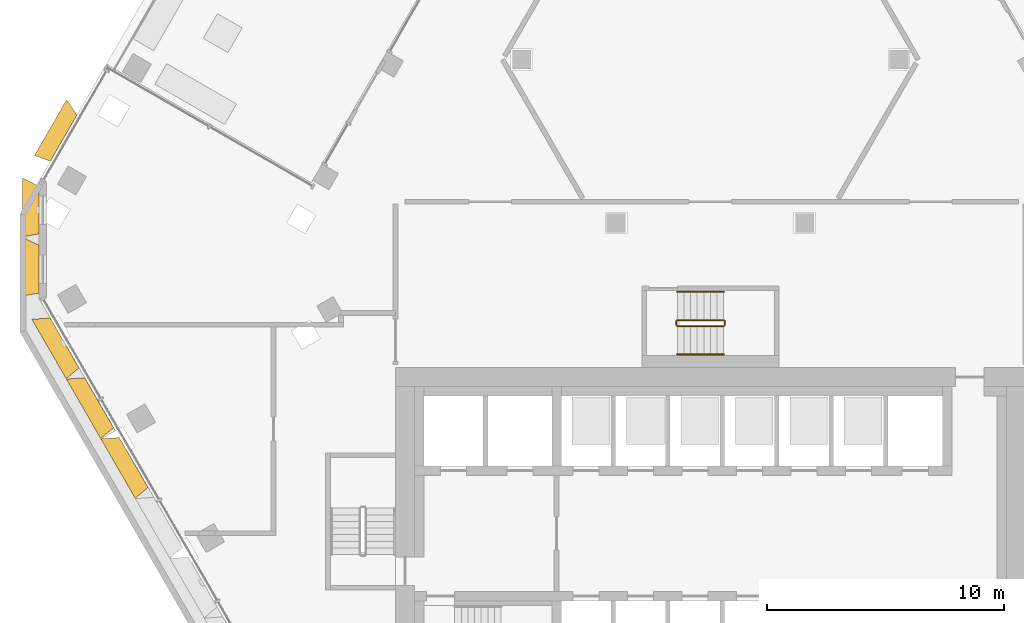
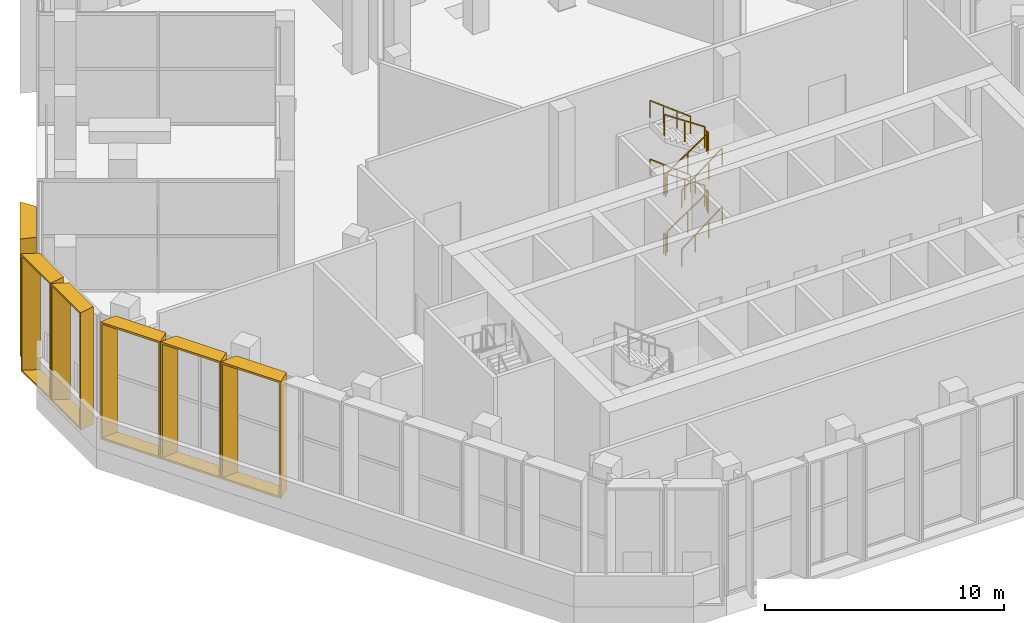
# One storey, part 23 of 27: 12 railings, 6 shading devices.
"""IFC4 building model written with IfcOpenShell, lengths in metres."""

from ifc_helpers import new_model, entity, si_unit, direction, frame, origin, origin_2d, place, context, subcontext, project, spatial, rectangle, extrude, source, transform, mapped, material, type_object, type_shapes, element, save


model = new_model("IFC4")

# Units and contexts
model_context = context("Model", 3, precision=1e-05, world=origin(), true_north=direction((0.0, 1.0)))
body_context = subcontext(model_context, "Body", "Model", "MODEL_VIEW")
ifc_project = project(units=[si_unit("LENGTHUNIT", "METRE"), si_unit("AREAUNIT", "SQUARE_METRE"), si_unit("VOLUMEUNIT", "CUBIC_METRE"), si_unit("PLANEANGLEUNIT", "RADIAN"), si_unit("MASSUNIT", "GRAM", prefix="KILO")], contexts=[model_context])

# Site, building, storey
site_placement = place(None, origin())
site = spatial("IfcSite", under=ifc_project, at=site_placement, CompositionType="ELEMENT")
building_placement = place(site_placement, origin())
building = spatial("IfcBuilding", under=site, at=building_placement, Name="Beryl Residences", CompositionType="ELEMENT")
storey_placement = place(building_placement, frame((0.0, 0.0, 111.60009765625)))
storey = spatial("IfcBuildingStorey", under=building, at=storey_placement, Name="L34", CompositionType="ELEMENT", Elevation=111.60009765625)

# Shading devices
ifc_material_1 = material(Name="Aluminium pale anodised", Category="aluminium")
shading_device_type_1 = type_object("IfcShadingDeviceType", Name="FR250-70B-H60 OUTER SKIN frame 700 mm deep, splay 26/10 deg, 2500 x 6000 mm cell", PredefinedType="USERDEFINED", material=ifc_material_1)
cartesian_point_1 = entity("IfcCartesianPoint", [-1.007568359375, 0.0])
cartesian_point_2 = entity("IfcCartesianPoint", [-0.91845703125, 0.10009765625])
cartesian_point_3 = entity("IfcCartesianPoint", [-1.348876953125, 0.0])
cartesian_point_4 = entity("IfcCartesianPoint", [-1.260009765625, 0.10009765625])
shared_shape_1 = source(origin(), body_context, "Body", "SweptSolid", [
    entity("IfcExtrudedAreaSolidTapered", entity("IfcArbitraryProfileDefWithVoids", "AREA", None, entity("IfcPolyline", [cartesian_point_1, entity("IfcCartesianPoint", [1.007568359375, 0.0]), entity("IfcCartesianPoint", [1.007568359375, 6.0]), entity("IfcCartesianPoint", [-1.007568359375, 6.0]), cartesian_point_1]), [entity("IfcPolyline", [cartesian_point_2, entity("IfcCartesianPoint", [0.92626953125, 0.10009765625]), entity("IfcCartesianPoint", [0.92626953125, 5.89990234375]), entity("IfcCartesianPoint", [-0.91845703125, 5.89990234375]), cartesian_point_2])]), entity("IfcAxis2Placement3D", entity("IfcCartesianPoint", [0.0, 0.0, 0.0]), entity("IfcDirection", [0.0, 1.0, 0.0]), entity("IfcDirection", [-1.0, 0.0, 0.0])), entity("IfcDirection", [0.0, 0.0, 1.0]), 0.699951171875, entity("IfcArbitraryProfileDefWithVoids", "AREA", None, entity("IfcPolyline", [cartesian_point_3, entity("IfcCartesianPoint", [1.130859375, 0.0]), entity("IfcCartesianPoint", [1.130859375, 6.0]), entity("IfcCartesianPoint", [-1.348876953125, 6.0]), cartesian_point_3]), [entity("IfcPolyline", [cartesian_point_4, entity("IfcCartesianPoint", [1.0498046875, 0.10009765625]), entity("IfcCartesianPoint", [1.0498046875, 5.89990234375]), entity("IfcCartesianPoint", [-1.260009765625, 5.89990234375]), cartesian_point_4])])),
])
type_shapes(shading_device_type_1, [shared_shape_1])
for number, where, z_axis, x_axis, name in (
    (1, (-28.347900390625, 1.64990234375, 0.0), (0.0, 0.0, 1.0), (0.0, 1.0, 0.0), "FR250-70B-H60 frame L34 NW-SW 1"),
    (2, (-28.347900390625, -0.85009765625, 0.0), (0.0, 0.0, 1.0), (0.0, 1.0, 0.0), "FR250-70B-H60 frame L34 NW-SW 2"),
):
    element("IfcShadingDevice", number, at=place(storey_placement, frame(where, z_axis=z_axis, x_axis=x_axis)), inside=storey, type_object=shading_device_type_1, Name=name, ObjectType="OUTER SKIN", PredefinedType="USERDEFINED", context=body_context, shape_type="MappedRepresentation", body=[
        mapped(shared_shape_1, transform((0.0, 0.0, 0.0))),
    ])
ifc_material_2 = material(Name="Aluminium pale anodised", Category="aluminium")
shading_device_type_2 = type_object("IfcShadingDeviceType", Name="FR274-70B-H60 OUTER SKIN frame 700 mm deep, splay 26/10 deg, 2740 x 6000 mm cell", PredefinedType="USERDEFINED", material=ifc_material_2)
cartesian_point_5 = entity("IfcCartesianPoint", [-1.12744140625, 0.0])
cartesian_point_6 = entity("IfcCartesianPoint", [-1.03857421875, 0.10009765625])
cartesian_point_7 = entity("IfcCartesianPoint", [-1.468994140625, 0.0])
cartesian_point_8 = entity("IfcCartesianPoint", [-1.3798828125, 0.10009765625])
shared_shape_2 = source(origin(), body_context, "Body", "SweptSolid", [
    entity("IfcExtrudedAreaSolidTapered", entity("IfcArbitraryProfileDefWithVoids", "AREA", None, entity("IfcPolyline", [cartesian_point_5, entity("IfcCartesianPoint", [1.12744140625, 0.0]), entity("IfcCartesianPoint", [1.12744140625, 6.0]), entity("IfcCartesianPoint", [-1.12744140625, 6.0]), cartesian_point_5]), [entity("IfcPolyline", [cartesian_point_6, entity("IfcCartesianPoint", [1.04638671875, 0.10009765625]), entity("IfcCartesianPoint", [1.04638671875, 5.89990234375]), entity("IfcCartesianPoint", [-1.03857421875, 5.89990234375]), cartesian_point_6])]), entity("IfcAxis2Placement3D", entity("IfcCartesianPoint", [0.0, 0.0, 0.0]), entity("IfcDirection", [0.0, 1.0, 0.0]), entity("IfcDirection", [-1.0, 0.0, 0.0])), entity("IfcDirection", [0.0, 0.0, 1.0]), 0.699951171875, entity("IfcArbitraryProfileDefWithVoids", "AREA", None, entity("IfcPolyline", [cartesian_point_7, entity("IfcCartesianPoint", [1.2509765625, 0.0]), entity("IfcCartesianPoint", [1.2509765625, 6.0]), entity("IfcCartesianPoint", [-1.468994140625, 6.0]), cartesian_point_7]), [entity("IfcPolyline", [cartesian_point_8, entity("IfcCartesianPoint", [1.169677734375, 0.10009765625]), entity("IfcCartesianPoint", [1.169677734375, 5.89990234375]), entity("IfcCartesianPoint", [-1.3798828125, 5.89990234375]), cartesian_point_8])])),
])
type_shapes(shading_device_type_2, [shared_shape_2])
shading_device_placement = place(storey_placement, frame((-27.31591796875, 4.68701171875, 0.0), z_axis=(0.0, 0.0, 1.0), x_axis=(0.5, 0.866025403784, 0.0)))
element("IfcShadingDevice", 3, at=shading_device_placement, inside=storey, type_object=shading_device_type_2, Name="FR274-70B-H60 frame L34 NW 8", ObjectType="OUTER SKIN", PredefinedType="USERDEFINED", context=body_context, shape_type="MappedRepresentation", body=[
    mapped(shared_shape_2, transform((0.0, 0.0, 0.0))),
])
ifc_material_3 = material(Name="Aluminium pale anodised", Category="aluminium")
shading_device_type_3 = type_object("IfcShadingDeviceType", Name="FR292-70B-H60 OUTER SKIN frame 700 mm deep, splay 26/10 deg, 2920 x 6000 mm cell", PredefinedType="USERDEFINED", material=ifc_material_3)
cartesian_point_9 = entity("IfcCartesianPoint", [-1.217529296875, 0.0])
cartesian_point_10 = entity("IfcCartesianPoint", [-1.12841796875, 0.10009765625])
cartesian_point_11 = entity("IfcCartesianPoint", [-1.558837890625, 0.0])
cartesian_point_12 = entity("IfcCartesianPoint", [-1.469970703125, 0.10009765625])
shared_shape_3 = source(origin(), body_context, "Body", "SweptSolid", [
    entity("IfcExtrudedAreaSolidTapered", entity("IfcArbitraryProfileDefWithVoids", "AREA", None, entity("IfcPolyline", [cartesian_point_9, entity("IfcCartesianPoint", [1.217529296875, 0.0]), entity("IfcCartesianPoint", [1.217529296875, 6.0]), entity("IfcCartesianPoint", [-1.217529296875, 6.0]), cartesian_point_9]), [entity("IfcPolyline", [cartesian_point_10, entity("IfcCartesianPoint", [1.13623046875, 0.10009765625]), entity("IfcCartesianPoint", [1.13623046875, 5.89990234375]), entity("IfcCartesianPoint", [-1.12841796875, 5.89990234375]), cartesian_point_10])]), entity("IfcAxis2Placement3D", entity("IfcCartesianPoint", [0.0, 0.0, 0.0]), entity("IfcDirection", [0.0, 1.0, 0.0]), entity("IfcDirection", [-1.0, 0.0, 0.0])), entity("IfcDirection", [0.0, 0.0, 1.0]), 0.699951171875, entity("IfcArbitraryProfileDefWithVoids", "AREA", None, entity("IfcPolyline", [cartesian_point_11, entity("IfcCartesianPoint", [1.3408203125, 0.0]), entity("IfcCartesianPoint", [1.3408203125, 6.0]), entity("IfcCartesianPoint", [-1.558837890625, 6.0]), cartesian_point_11]), [entity("IfcPolyline", [cartesian_point_12, entity("IfcCartesianPoint", [1.259765625, 0.10009765625]), entity("IfcCartesianPoint", [1.259765625, 5.89990234375]), entity("IfcCartesianPoint", [-1.469970703125, 5.89990234375]), cartesian_point_12])])),
])
type_shapes(shading_device_type_3, [shared_shape_3])
for number, where, z_axis, x_axis, name in (
    (4, (-27.27294921875, -3.9619140625, 0.0), (0.0, 0.0, 1.0), (-0.5, 0.866025403784, 0.0), "FR292-70B-H60 frame L34 SW 1"),
    (5, (-25.81494140625, -6.487060546875, 0.0), (0.0, 0.0, 1.0), (-0.5, 0.866025403784, 0.0), "FR292-70B-H60 frame L34 SW 2"),
    (6, (-24.35693359375, -9.011962890625, 0.0), (0.0, 0.0, 1.0), (-0.5, 0.866025403784, 0.0), "FR292-70B-H60 frame L34 SW 3"),
):
    element("IfcShadingDevice", number, at=place(storey_placement, frame(where, z_axis=z_axis, x_axis=x_axis)), inside=storey, type_object=shading_device_type_3, Name=name, ObjectType="OUTER SKIN", PredefinedType="USERDEFINED", context=body_context, shape_type="MappedRepresentation", body=[
        mapped(shared_shape_3, transform((0.0, 0.0, 0.0))),
    ])

# Railings
ifc_material_4 = material(Name="Stainless steel balustrade with glass infill", Category="steel")
railing_type_1 = type_object("IfcRailingType", Name="SG1 stair guard 1100 mm", PredefinedType="GUARDRAIL", material=ifc_material_4)
railing_1_placement = place(storey_placement, frame((-1.39990234375, -3.25, 0.1875)))
element("IfcRailing", 7, at=railing_1_placement, inside=storey, type_object=railing_type_1, Name="L34 ST-4 stair guard 1", PredefinedType="GUARDRAIL", context=body_context, shape_type="SweptSolid", body=[
    extrude(rectangle(XDim=0.048095703125, YDim=0.048095703125, at=origin_2d()), frame((0.0, 0.0, 1.076171875), z_axis=(0.830902050051, 0.0, 0.556418712142), x_axis=(0.0, 1.0, 0.0)), (0.0, 0.0, 1.0), 2.35888671875),
    extrude(rectangle(XDim=0.0419921875, YDim=0.0419921875, at=origin_2d()), origin(), (0.0, 0.0, 1.0), 1.052001953125),
    extrude(rectangle(XDim=0.0419921875, YDim=0.0419921875, at=origin_2d()), frame((0.97998046875, 0.0, 0.65625)), (0.0, 0.0, 1.0), 1.052001953125),
    extrude(rectangle(XDim=0.0419921875, YDim=0.0419921875, at=origin_2d()), frame((1.9599609375, 0.0, 1.3125)), (0.0, 0.0, 1.0), 1.052001953125),
])
railing_2_placement = place(storey_placement, frame((0.610107421875, -3.199951171875, 1.5)))
element("IfcRailing", 8, at=railing_2_placement, inside=storey, type_object=railing_type_1, Name="L34 ST-4 stair guard 2", PredefinedType="GUARDRAIL", context=body_context, shape_type="SweptSolid", body=[
    extrude(rectangle(XDim=0.048095703125, YDim=0.048095703125, at=origin_2d()), frame((0.0, 0.0, 1.076171875), z_axis=(0.0, 1.0, 0.0), x_axis=(-1.0, 0.0, 0.0)), (0.0, 0.0, 1.0), 0.14990234375),
    extrude(rectangle(XDim=0.0419921875, YDim=0.0419921875, at=origin_2d()), origin(), (0.0, 0.0, 1.0), 1.052001953125),
    extrude(rectangle(XDim=0.0419921875, YDim=0.0419921875, at=origin_2d()), frame((0.0, 0.14990234375, 0.0)), (0.0, 0.0, 1.0), 1.052001953125),
])
railing_3_placement = place(storey_placement, frame((0.56005859375, -3.0, 1.6875)))
element("IfcRailing", 9, at=railing_3_placement, inside=storey, type_object=railing_type_1, Name="L34 ST-4 stair guard 3", PredefinedType="GUARDRAIL", context=body_context, shape_type="SweptSolid", body=[
    extrude(rectangle(XDim=0.048095703125, YDim=0.048095703125, at=origin_2d()), frame((0.0, 0.0, 1.076171875), z_axis=(-0.830902050051, 0.0, 0.556418712142), x_axis=(0.0, -1.0, 0.0)), (0.0, 0.0, 1.0), 2.35888671875),
    extrude(rectangle(XDim=0.0419921875, YDim=0.0419921875, at=origin_2d()), origin(), (0.0, 0.0, 1.0), 1.052001953125),
    extrude(rectangle(XDim=0.0419921875, YDim=0.0419921875, at=origin_2d()), frame((-0.97998046875, 0.0, 0.65625)), (0.0, 0.0, 1.0), 1.052001953125),
    extrude(rectangle(XDim=0.0419921875, YDim=0.0419921875, at=origin_2d()), frame((-1.9599609375, 0.0, 1.3125)), (0.0, 0.0, 1.0), 1.052001953125),
])
railing_4_placement = place(storey_placement, frame((-1.449951171875, -3.199951171875, 3.0)))
element("IfcRailing", 10, at=railing_4_placement, inside=storey, type_object=railing_type_1, Name="L34 ST-4 stair guard 4", PredefinedType="GUARDRAIL", context=body_context, shape_type="SweptSolid", body=[
    extrude(rectangle(XDim=0.048095703125, YDim=0.048095703125, at=origin_2d()), frame((0.0, 0.0, 1.076171875), z_axis=(0.0, 1.0, 0.0), x_axis=(-1.0, 0.0, 0.0)), (0.0, 0.0, 1.0), 0.14990234375),
    extrude(rectangle(XDim=0.0419921875, YDim=0.0419921875, at=origin_2d()), origin(), (0.0, 0.0, 1.0), 1.052001953125),
    extrude(rectangle(XDim=0.0419921875, YDim=0.0419921875, at=origin_2d()), frame((0.0, 0.14990234375, 0.0)), (0.0, 0.0, 1.0), 1.052001953125),
])
railing_5_placement = place(storey_placement, frame((-1.39990234375, -3.25, 3.1875)))
element("IfcRailing", 11, at=railing_5_placement, inside=storey, type_object=railing_type_1, Name="L34 ST-4 stair guard 5", PredefinedType="GUARDRAIL", context=body_context, shape_type="SweptSolid", body=[
    extrude(rectangle(XDim=0.048095703125, YDim=0.048095703125, at=origin_2d()), frame((0.0, 0.0, 1.076171875), z_axis=(0.830902050051, 0.0, 0.556418712142), x_axis=(0.0, 1.0, 0.0)), (0.0, 0.0, 1.0), 2.35888671875),
    extrude(rectangle(XDim=0.0419921875, YDim=0.0419921875, at=origin_2d()), origin(), (0.0, 0.0, 1.0), 1.052001953125),
    extrude(rectangle(XDim=0.0419921875, YDim=0.0419921875, at=origin_2d()), frame((0.97998046875, 0.0, 0.65625)), (0.0, 0.0, 1.0), 1.052001953125),
    extrude(rectangle(XDim=0.0419921875, YDim=0.0419921875, at=origin_2d()), frame((1.9599609375, 0.0, 1.3125)), (0.0, 0.0, 1.0), 1.052001953125),
])
railing_6_placement = place(storey_placement, frame((0.610107421875, -3.199951171875, 4.5)))
element("IfcRailing", 12, at=railing_6_placement, inside=storey, type_object=railing_type_1, Name="L34 ST-4 stair guard 6", PredefinedType="GUARDRAIL", context=body_context, shape_type="SweptSolid", body=[
    extrude(rectangle(XDim=0.048095703125, YDim=0.048095703125, at=origin_2d()), frame((0.0, 0.0, 1.076171875), z_axis=(0.0, 1.0, 0.0), x_axis=(-1.0, 0.0, 0.0)), (0.0, 0.0, 1.0), 0.14990234375),
    extrude(rectangle(XDim=0.0419921875, YDim=0.0419921875, at=origin_2d()), origin(), (0.0, 0.0, 1.0), 1.052001953125),
    extrude(rectangle(XDim=0.0419921875, YDim=0.0419921875, at=origin_2d()), frame((0.0, 0.14990234375, 0.0)), (0.0, 0.0, 1.0), 1.052001953125),
])
railing_7_placement = place(storey_placement, frame((0.56005859375, -3.0, 4.6875)))
element("IfcRailing", 13, at=railing_7_placement, inside=storey, type_object=railing_type_1, Name="L34 ST-4 stair guard 7", PredefinedType="GUARDRAIL", context=body_context, shape_type="SweptSolid", body=[
    extrude(rectangle(XDim=0.048095703125, YDim=0.048095703125, at=origin_2d()), frame((0.0, 0.0, 1.076171875), z_axis=(-0.830902050051, 0.0, 0.556418712142), x_axis=(0.0, -1.0, 0.0)), (0.0, 0.0, 1.0), 2.35888671875),
    extrude(rectangle(XDim=0.0419921875, YDim=0.0419921875, at=origin_2d()), origin(), (0.0, 0.0, 1.0), 1.052001953125),
    extrude(rectangle(XDim=0.0419921875, YDim=0.0419921875, at=origin_2d()), frame((-0.97998046875, 0.0, 0.65625)), (0.0, 0.0, 1.0), 1.052001953125),
    extrude(rectangle(XDim=0.0419921875, YDim=0.0419921875, at=origin_2d()), frame((-1.9599609375, 0.0, 1.3125)), (0.0, 0.0, 1.0), 1.052001953125),
])
railing_8_placement = place(storey_placement, frame((-1.449951171875, -3.199951171875, 0.0)))
element("IfcRailing", 14, at=railing_8_placement, inside=storey, type_object=railing_type_1, Name="L34 ST-4 stair guard 8", PredefinedType="GUARDRAIL", context=body_context, shape_type="SweptSolid", body=[
    extrude(rectangle(XDim=0.048095703125, YDim=0.048095703125, at=origin_2d()), frame((0.0, 0.0, 1.076171875), z_axis=(0.0, 1.0, 0.0), x_axis=(-1.0, 0.0, 0.0)), (0.0, 0.0, 1.0), 0.14990234375),
    extrude(rectangle(XDim=0.0419921875, YDim=0.0419921875, at=origin_2d()), origin(), (0.0, 0.0, 1.0), 1.052001953125),
    extrude(rectangle(XDim=0.0419921875, YDim=0.0419921875, at=origin_2d()), frame((0.0, 0.14990234375, 0.0)), (0.0, 0.0, 1.0), 1.052001953125),
])
ifc_material_5 = material(Name="Stainless steel handrail", Category="steel")
railing_type_2 = type_object("IfcRailingType", Name="SRL1 stair handrail 900 mm", PredefinedType="HANDRAIL", material=ifc_material_5)
railing_9_placement = place(storey_placement, frame((-1.39990234375, -4.449951171875, 0.1875)))
element("IfcRailing", 15, at=railing_9_placement, inside=storey, type_object=railing_type_2, Name="L34 ST-4 stair handrail 1", PredefinedType="HANDRAIL", context=body_context, shape_type="SweptSolid", body=[
    extrude(rectangle(XDim=0.048095703125, YDim=0.048095703125, at=origin_2d()), frame((0.0, 0.0, 0.8759765625), z_axis=(0.794121922505, 0.0, 0.607758481798), x_axis=(0.0, 1.0, 0.0)), (0.0, 0.0, 1.0), 2.468017578125),
    extrude(rectangle(XDim=0.0419921875, YDim=0.0419921875, at=origin_2d()), origin(), (0.0, 0.0, 1.0), 0.851806640625),
    extrude(rectangle(XDim=0.0419921875, YDim=0.0419921875, at=origin_2d()), frame((0.6533203125, 0.0, 0.5)), (0.0, 0.0, 1.0), 0.851806640625),
    extrude(rectangle(XDim=0.0419921875, YDim=0.0419921875, at=origin_2d()), frame((1.306640625, 0.0, 1.0)), (0.0, 0.0, 1.0), 0.851806640625),
    extrude(rectangle(XDim=0.0419921875, YDim=0.0419921875, at=origin_2d()), frame((1.9599609375, 0.0, 1.5)), (0.0, 0.0, 1.0), 0.851806640625),
])
railing_10_placement = place(storey_placement, frame((0.56005859375, -1.800048828125, 1.6875)))
element("IfcRailing", 16, at=railing_10_placement, inside=storey, type_object=railing_type_2, Name="L34 ST-4 stair handrail 2", PredefinedType="HANDRAIL", context=body_context, shape_type="SweptSolid", body=[
    extrude(rectangle(XDim=0.048095703125, YDim=0.048095703125, at=origin_2d()), frame((0.0, 0.0, 0.8759765625), z_axis=(-0.794121922505, 0.0, 0.607758481798), x_axis=(0.0, -1.0, 0.0)), (0.0, 0.0, 1.0), 2.468017578125),
    extrude(rectangle(XDim=0.0419921875, YDim=0.0419921875, at=origin_2d()), origin(), (0.0, 0.0, 1.0), 0.851806640625),
    extrude(rectangle(XDim=0.0419921875, YDim=0.0419921875, at=origin_2d()), frame((-0.6533203125, 0.0, 0.5)), (0.0, 0.0, 1.0), 0.851806640625),
    extrude(rectangle(XDim=0.0419921875, YDim=0.0419921875, at=origin_2d()), frame((-1.306640625, 0.0, 1.0)), (0.0, 0.0, 1.0), 0.851806640625),
    extrude(rectangle(XDim=0.0419921875, YDim=0.0419921875, at=origin_2d()), frame((-1.9599609375, 0.0, 1.5)), (0.0, 0.0, 1.0), 0.851806640625),
])
railing_11_placement = place(storey_placement, frame((-1.39990234375, -4.449951171875, 3.1875)))
element("IfcRailing", 17, at=railing_11_placement, inside=storey, type_object=railing_type_2, Name="L34 ST-4 stair handrail 3", PredefinedType="HANDRAIL", context=body_context, shape_type="SweptSolid", body=[
    extrude(rectangle(XDim=0.048095703125, YDim=0.048095703125, at=origin_2d()), frame((0.0, 0.0, 0.8759765625), z_axis=(0.794121922505, 0.0, 0.607758481798), x_axis=(0.0, 1.0, 0.0)), (0.0, 0.0, 1.0), 2.468017578125),
    extrude(rectangle(XDim=0.0419921875, YDim=0.0419921875, at=origin_2d()), origin(), (0.0, 0.0, 1.0), 0.851806640625),
    extrude(rectangle(XDim=0.0419921875, YDim=0.0419921875, at=origin_2d()), frame((0.6533203125, 0.0, 0.5)), (0.0, 0.0, 1.0), 0.851806640625),
    extrude(rectangle(XDim=0.0419921875, YDim=0.0419921875, at=origin_2d()), frame((1.306640625, 0.0, 1.0)), (0.0, 0.0, 1.0), 0.851806640625),
    extrude(rectangle(XDim=0.0419921875, YDim=0.0419921875, at=origin_2d()), frame((1.9599609375, 0.0, 1.5)), (0.0, 0.0, 1.0), 0.851806640625),
])
railing_12_placement = place(storey_placement, frame((0.56005859375, -1.800048828125, 4.6875)))
element("IfcRailing", 18, at=railing_12_placement, inside=storey, type_object=railing_type_2, Name="L34 ST-4 stair handrail 4", PredefinedType="HANDRAIL", context=body_context, shape_type="SweptSolid", body=[
    extrude(rectangle(XDim=0.048095703125, YDim=0.048095703125, at=origin_2d()), frame((0.0, 0.0, 0.8759765625), z_axis=(-0.794121922505, 0.0, 0.607758481798), x_axis=(0.0, -1.0, 0.0)), (0.0, 0.0, 1.0), 2.468017578125),
    extrude(rectangle(XDim=0.0419921875, YDim=0.0419921875, at=origin_2d()), origin(), (0.0, 0.0, 1.0), 0.851806640625),
    extrude(rectangle(XDim=0.0419921875, YDim=0.0419921875, at=origin_2d()), frame((-0.6533203125, 0.0, 0.5)), (0.0, 0.0, 1.0), 0.851806640625),
    extrude(rectangle(XDim=0.0419921875, YDim=0.0419921875, at=origin_2d()), frame((-1.306640625, 0.0, 1.0)), (0.0, 0.0, 1.0), 0.851806640625),
    extrude(rectangle(XDim=0.0419921875, YDim=0.0419921875, at=origin_2d()), frame((-1.9599609375, 0.0, 1.5)), (0.0, 0.0, 1.0), 0.851806640625),
])

save(model, "model.ifc")
